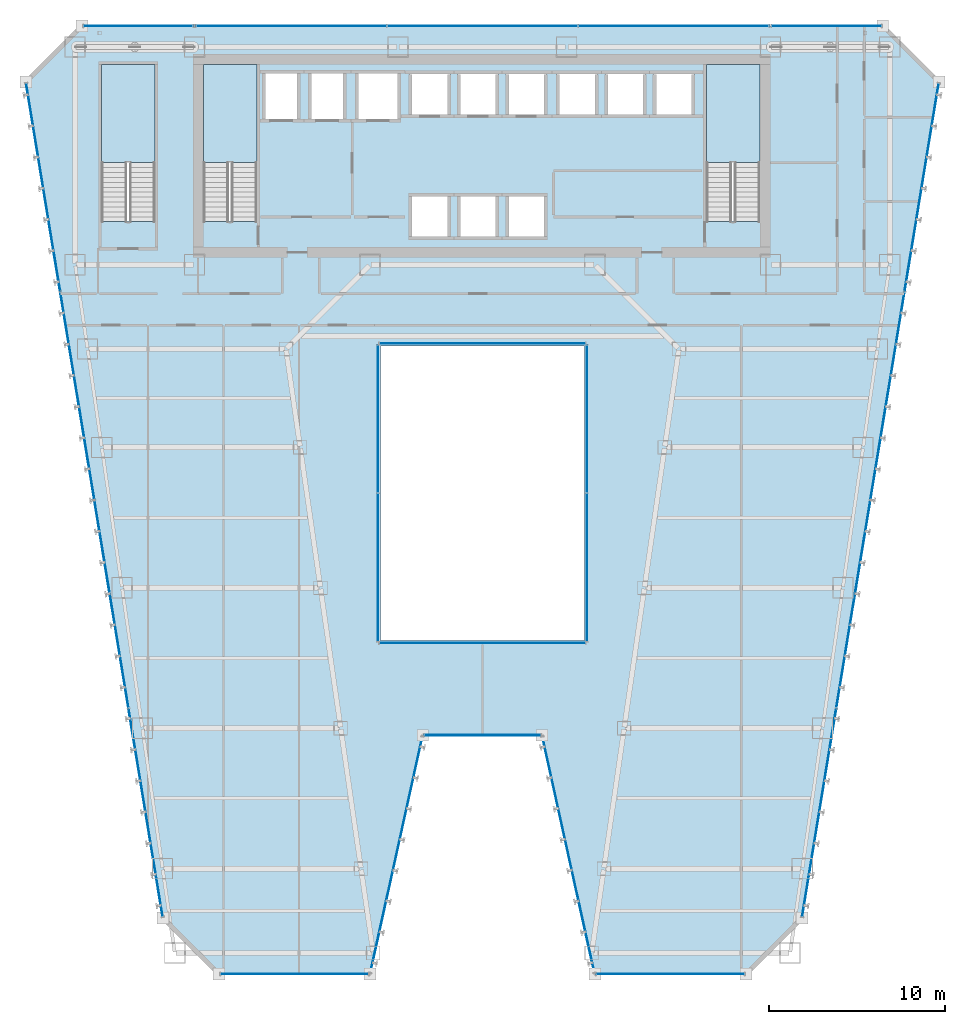
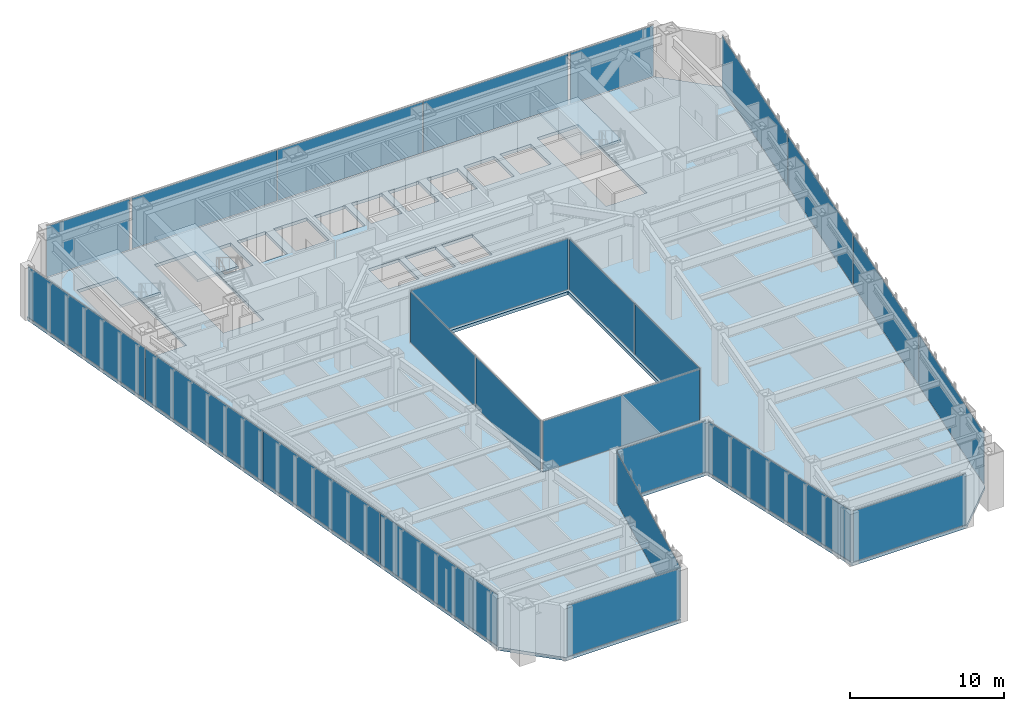
# One storey, part 34 of 47: 24 plates, 4 slabs, 17 elements without a shape of their own.
"""IFC4 building model written with IfcOpenShell, lengths in metres."""

from ifc_helpers import new_model, si_unit, direction, frame, origin, origin_2d, place, context, subcontext, project, spatial, polyline, rectangle, outline, extrude, material, layer, layer_set, type_object, element, aggregate, save


model = new_model("IFC4")

# Units and contexts
model_context = context("Model", 3, precision=1e-05, world=origin(), true_north=direction((0.0, 1.0)))
body_context = subcontext(model_context, "Body", "Model", "MODEL_VIEW")
ifc_project = project(units=[si_unit("LENGTHUNIT", "METRE"), si_unit("AREAUNIT", "SQUARE_METRE"), si_unit("VOLUMEUNIT", "CUBIC_METRE"), si_unit("PLANEANGLEUNIT", "RADIAN"), si_unit("MASSUNIT", "GRAM", prefix="KILO")], contexts=[model_context])

# Site, building, storey
site_placement = place(None, origin())
site = spatial("IfcSite", under=ifc_project, at=site_placement, CompositionType="ELEMENT")
building_placement = place(site_placement, origin())
building = spatial("IfcBuilding", under=site, at=building_placement, Name="Saevonmaru Cultural Tower", CompositionType="ELEMENT")
storey_placement = place(building_placement, frame((0.0, 0.0, 78.0)))
storey = spatial("IfcBuildingStorey", under=building, at=storey_placement, Name="L16", CompositionType="ELEMENT", Elevation=78.0)

# Curtain wall, plate
ifc_material_1 = material(Name="Satin Bronze Anodised Aluminium", Category="aluminium")
curtain_wall_type_1 = type_object("IfcCurtainWallType", Name="CW-ATR-GLZ", PredefinedType="NOTDEFINED", material=ifc_material_1)
curtain_wall_1_placement = place(storey_placement, origin())
curtain_wall_1 = element("IfcCurtainWall", 1, at=curtain_wall_1_placement, inside=storey, type_object=curtain_wall_type_1, Name="L16 Vertical Atrium Glazed Smoke Screen 1", PredefinedType="NOTDEFINED")
ifc_material_2 = material(Name="Fire-Rated Laminated Atrium Glass", Category="glass")
ifc_layer_1 = layer(ifc_material_2, 0.031982421875, Name="Fire-Rated Laminated Atrium Glass")
ifc_layer_set_1 = layer_set([ifc_layer_1], Name="Fire-Rated Laminated Atrium Glass")
plate_type_1 = type_object("IfcPlateType", Name="PN-GLZ-ATR-INT", PredefinedType="CURTAIN_PANEL", material=ifc_layer_set_1)
plate_1_placement = place(storey_placement, frame((30.0, 20.85009765625, 0.06689453125), z_axis=(0.0, 0.0, 1.0), x_axis=(1.0, 0.0, 0.0)))
plate_1 = element("IfcPlate", 2, at=plate_1_placement, type_object=plate_type_1, Name="CW-ATR-L16-1 panel 1.1", PredefinedType="CURTAIN_PANEL", context=body_context, shape_type="SweptSolid", body=[
    extrude(rectangle(XDim=11.7109375, YDim=0.031982421875, at=origin_2d()), origin(), (0.0, 0.0, 1.0), 4.01611328125),
])
aggregate(curtain_wall_1, [plate_1])

# Curtain wall, plates
curtain_wall_2_placement = place(storey_placement, origin())
curtain_wall_2 = element("IfcCurtainWall", 3, at=curtain_wall_2_placement, inside=storey, type_object=curtain_wall_type_1, Name="L16 Vertical Atrium Glazed Smoke Screen 2", PredefinedType="NOTDEFINED")
plate_2_placement = place(storey_placement, frame((35.949951171875, 25.14501953125, 0.06689453125), z_axis=(0.0, 0.0, 1.0), x_axis=(0.0, 1.0, 0.0)))
plate_2 = element("IfcPlate", 4, at=plate_2_placement, type_object=plate_type_1, Name="CW-ATR-L16-2 panel 1.1", PredefinedType="CURTAIN_PANEL", context=body_context, shape_type="SweptSolid", body=[
    extrude(rectangle(XDim=8.40087890625, YDim=0.031982421875, at=origin_2d()), origin(), (0.0, 0.0, 1.0), 4.01611328125),
])
plate_3_placement = place(storey_placement, frame((35.949951171875, 33.614990234375, 0.06689453125), z_axis=(0.0, 0.0, 1.0), x_axis=(0.0, 1.0, 0.0)))
plate_3 = element("IfcPlate", 5, at=plate_3_placement, type_object=plate_type_1, Name="CW-ATR-L16-2 panel 2.1", PredefinedType="CURTAIN_PANEL", context=body_context, shape_type="SweptSolid", body=[
    extrude(rectangle(XDim=8.40087890625, YDim=0.031982421875, at=origin_2d()), origin(), (0.0, 0.0, 1.0), 4.01611328125),
])
aggregate(curtain_wall_2, [plate_2, plate_3])

# Curtain wall, plate
curtain_wall_3_placement = place(storey_placement, origin())
curtain_wall_3 = element("IfcCurtainWall", 6, at=curtain_wall_3_placement, inside=storey, type_object=curtain_wall_type_1, Name="L16 Vertical Atrium Glazed Smoke Screen 3", PredefinedType="NOTDEFINED")
plate_4_placement = place(storey_placement, frame((30.0, 37.909912109375, 0.06689453125), z_axis=(0.0, 0.0, 1.0), x_axis=(-1.0, 0.0, 0.0)))
plate_4 = element("IfcPlate", 7, at=plate_4_placement, type_object=plate_type_1, Name="CW-ATR-L16-3 panel 1.1", PredefinedType="CURTAIN_PANEL", context=body_context, shape_type="SweptSolid", body=[
    extrude(rectangle(XDim=11.7109375, YDim=0.031982421875, at=origin_2d()), origin(), (0.0, 0.0, 1.0), 4.01611328125),
])
aggregate(curtain_wall_3, [plate_4])

# Curtain wall, plates
curtain_wall_4_placement = place(storey_placement, origin())
curtain_wall_4 = element("IfcCurtainWall", 8, at=curtain_wall_4_placement, inside=storey, type_object=curtain_wall_type_1, Name="L16 Vertical Atrium Glazed Smoke Screen 4", PredefinedType="NOTDEFINED")
plate_5_placement = place(storey_placement, frame((24.050048828125, 33.614990234375, 0.06689453125), z_axis=(0.0, 0.0, 1.0), x_axis=(0.0, -1.0, 0.0)))
plate_5 = element("IfcPlate", 9, at=plate_5_placement, type_object=plate_type_1, Name="CW-ATR-L16-4 panel 1.1", PredefinedType="CURTAIN_PANEL", context=body_context, shape_type="SweptSolid", body=[
    extrude(rectangle(XDim=8.40087890625, YDim=0.031982421875, at=origin_2d()), origin(), (0.0, 0.0, 1.0), 4.01611328125),
])
plate_6_placement = place(storey_placement, frame((24.050048828125, 25.14501953125, 0.06689453125), z_axis=(0.0, 0.0, 1.0), x_axis=(0.0, -1.0, 0.0)))
plate_6 = element("IfcPlate", 10, at=plate_6_placement, type_object=plate_type_1, Name="CW-ATR-L16-4 panel 2.1", PredefinedType="CURTAIN_PANEL", context=body_context, shape_type="SweptSolid", body=[
    extrude(rectangle(XDim=8.40087890625, YDim=0.031982421875, at=origin_2d()), origin(), (0.0, 0.0, 1.0), 4.01611328125),
])
aggregate(curtain_wall_4, [plate_5, plate_6])

# Curtain wall, plate
curtain_wall_type_2 = type_object("IfcCurtainWallType", Name="CW-TYP-A", PredefinedType="NOTDEFINED", material=ifc_material_1)
curtain_wall_5_placement = place(storey_placement, origin())
curtain_wall_5 = element("IfcCurtainWall", 11, at=curtain_wall_5_placement, inside=storey, type_object=curtain_wall_type_2, Name="L16 Unitised Curtain Wall E2", PredefinedType="NOTDEFINED")
ifc_material_3 = material(Name="Triple Silver Low-E Insulating Glass", Category="glass")
ifc_layer_2 = layer(ifc_material_3, 0.035888671875, Name="Triple Silver Low-E Insulating Glass")
ifc_layer_set_2 = layer_set([ifc_layer_2], Name="Triple Silver Low-E Insulating Glass")
plate_type_2 = type_object("IfcPlateType", Name="PN-GLZ-IGU", PredefinedType="CURTAIN_PANEL", material=ifc_layer_set_2)
plate_7_placement = place(storey_placement, frame((19.300048828125, 2.0, 0.06689453125), z_axis=(0.0, 0.0, 1.0), x_axis=(1.0, 0.0, 0.0)))
plate_7 = element("IfcPlate", 12, at=plate_7_placement, type_object=plate_type_2, Name="CW-TW-L16-E2 panel 1.1", PredefinedType="CURTAIN_PANEL", context=body_context, shape_type="SweptSolid", body=[
    extrude(rectangle(XDim=8.410888671875, YDim=0.035888671875, at=origin_2d()), origin(), (0.0, 0.0, 1.0), 4.01611328125),
])
aggregate(curtain_wall_5, [plate_7])

curtain_wall_6_placement = place(storey_placement, origin())
curtain_wall_6 = element("IfcCurtainWall", 13, at=curtain_wall_6_placement, inside=storey, type_object=curtain_wall_type_2, Name="L16 Unitised Curtain Wall E3", PredefinedType="NOTDEFINED")
plate_8_placement = place(storey_placement, frame((25.10009765625, 8.800048828125, 0.06689453125), z_axis=(0.0, 0.0, 1.0), x_axis=(0.215413319953, 0.976522965212, 0.0)))
plate_8 = element("IfcPlate", 14, at=plate_8_placement, type_object=plate_type_2, Name="CW-TW-L16-E3 panel 1.1", PredefinedType="CURTAIN_PANEL", context=body_context, shape_type="SweptSolid", body=[
    extrude(rectangle(XDim=13.738037109375, YDim=0.035888671875, at=origin_2d()), origin(), (0.0, 0.0, 1.0), 4.01611328125),
])
aggregate(curtain_wall_6, [plate_8])

curtain_wall_7_placement = place(storey_placement, origin())
curtain_wall_7 = element("IfcCurtainWall", 15, at=curtain_wall_7_placement, inside=storey, type_object=curtain_wall_type_2, Name="L16 Unitised Curtain Wall E4", PredefinedType="NOTDEFINED")
plate_9_placement = place(storey_placement, frame((30.0, 15.60009765625, 0.06689453125), z_axis=(0.0, 0.0, 1.0), x_axis=(1.0, 0.0, 0.0)))
plate_9 = element("IfcPlate", 16, at=plate_9_placement, type_object=plate_type_2, Name="CW-TW-L16-E4 panel 1.1", PredefinedType="CURTAIN_PANEL", context=body_context, shape_type="SweptSolid", body=[
    extrude(rectangle(XDim=6.611083984375, YDim=0.035888671875, at=origin_2d()), origin(), (0.0, 0.0, 1.0), 4.01611328125),
])
aggregate(curtain_wall_7, [plate_9])

curtain_wall_8_placement = place(storey_placement, origin())
curtain_wall_8 = element("IfcCurtainWall", 17, at=curtain_wall_8_placement, inside=storey, type_object=curtain_wall_type_2, Name="L16 Unitised Curtain Wall E5", PredefinedType="NOTDEFINED")
plate_10_placement = place(storey_placement, frame((34.89990234375, 8.800048828125, 0.06689453125), z_axis=(0.0, 0.0, 1.0), x_axis=(0.215413319953, -0.976522965212, 0.0)))
plate_10 = element("IfcPlate", 18, at=plate_10_placement, type_object=plate_type_2, Name="CW-TW-L16-E5 panel 1.1", PredefinedType="CURTAIN_PANEL", context=body_context, shape_type="SweptSolid", body=[
    extrude(rectangle(XDim=13.738037109375, YDim=0.035888671875, at=origin_2d()), origin(), (0.0, 0.0, 1.0), 4.01611328125),
])
aggregate(curtain_wall_8, [plate_10])

curtain_wall_9_placement = place(storey_placement, origin())
curtain_wall_9 = element("IfcCurtainWall", 19, at=curtain_wall_9_placement, inside=storey, type_object=curtain_wall_type_2, Name="L16 Unitised Curtain Wall E6", PredefinedType="NOTDEFINED")
plate_11_placement = place(storey_placement, frame((40.699951171875, 2.0, 0.06689453125), z_axis=(0.0, 0.0, 1.0), x_axis=(1.0, 0.0, 0.0)))
plate_11 = element("IfcPlate", 20, at=plate_11_placement, type_object=plate_type_2, Name="CW-TW-L16-E6 panel 1.1", PredefinedType="CURTAIN_PANEL", context=body_context, shape_type="SweptSolid", body=[
    extrude(rectangle(XDim=8.410888671875, YDim=0.035888671875, at=origin_2d()), origin(), (0.0, 0.0, 1.0), 4.01611328125),
])
aggregate(curtain_wall_9, [plate_11])

# Curtain wall, plates
curtain_wall_10_placement = place(storey_placement, origin())
curtain_wall_10 = element("IfcCurtainWall", 21, at=curtain_wall_10_placement, inside=storey, type_object=curtain_wall_type_2, Name="L16 Unitised Curtain Wall E8", PredefinedType="NOTDEFINED")
plate_12_placement = place(storey_placement, frame((49.182373046875, 11.1943359375, 0.06689453125), z_axis=(0.0, 0.0, 1.0), x_axis=(0.161708868641, 0.986838508472, 0.0)))
plate_12 = element("IfcPlate", 22, at=plate_12_placement, type_object=plate_type_2, Name="CW-TW-L16-E8 panel 1.1", PredefinedType="CURTAIN_PANEL", context=body_context, shape_type="SweptSolid", body=[
    extrude(rectangle(XDim=11.959716796875, YDim=0.035888671875, at=origin_2d()), origin(), (0.0, 0.0, 1.0), 4.01611328125),
])
plate_13_placement = place(storey_placement, frame((51.12744140625, 23.064697265625, 0.06689453125), z_axis=(0.0, 0.0, 1.0), x_axis=(0.161708868641, 0.986838508472, 0.0)))
plate_13 = element("IfcPlate", 23, at=plate_13_placement, type_object=plate_type_2, Name="CW-TW-L16-E8 panel 2.1", PredefinedType="CURTAIN_PANEL", context=body_context, shape_type="SweptSolid", body=[
    extrude(rectangle(XDim=11.959716796875, YDim=0.035888671875, at=origin_2d()), origin(), (0.0, 0.0, 1.0), 4.01611328125),
])
plate_14_placement = place(storey_placement, frame((53.072509765625, 34.935302734375, 0.06689453125), z_axis=(0.0, 0.0, 1.0), x_axis=(0.161708868641, 0.986838508472, 0.0)))
plate_14 = element("IfcPlate", 24, at=plate_14_placement, type_object=plate_type_2, Name="CW-TW-L16-E8 panel 3.1", PredefinedType="CURTAIN_PANEL", context=body_context, shape_type="SweptSolid", body=[
    extrude(rectangle(XDim=11.959716796875, YDim=0.035888671875, at=origin_2d()), origin(), (0.0, 0.0, 1.0), 4.01611328125),
])
plate_15_placement = place(storey_placement, frame((55.017822265625, 46.8056640625, 0.06689453125), z_axis=(0.0, 0.0, 1.0), x_axis=(0.161708868641, 0.986838508472, 0.0)))
plate_15 = element("IfcPlate", 25, at=plate_15_placement, type_object=plate_type_2, Name="CW-TW-L16-E8 panel 4.1", PredefinedType="CURTAIN_PANEL", context=body_context, shape_type="SweptSolid", body=[
    extrude(rectangle(XDim=11.959716796875, YDim=0.035888671875, at=origin_2d()), origin(), (0.0, 0.0, 1.0), 4.01611328125),
])
aggregate(curtain_wall_10, [plate_12, plate_13, plate_14, plate_15])

curtain_wall_11_placement = place(storey_placement, origin())
curtain_wall_11 = element("IfcCurtainWall", 26, at=curtain_wall_11_placement, inside=storey, type_object=curtain_wall_type_2, Name="L16 North Spine Unitised Curtain Wall E10B", PredefinedType="NOTDEFINED")
plate_16_placement = place(storey_placement, frame((40.893310546875, 56.0, 0.06689453125), z_axis=(0.0, 0.0, 1.0), x_axis=(-1.0, 0.0, 0.0)))
plate_16 = element("IfcPlate", 27, at=plate_16_placement, type_object=plate_type_2, Name="CW-TW-L16-E10B panel 1.1", PredefinedType="CURTAIN_PANEL", context=body_context, shape_type="SweptSolid", body=[
    extrude(rectangle(XDim=10.82421875, YDim=0.035888671875, at=origin_2d()), origin(), (0.0, 0.0, 1.0), 4.01611328125),
])
plate_17_placement = place(storey_placement, frame((30.0, 56.0, 0.06689453125), z_axis=(0.0, 0.0, 1.0), x_axis=(-1.0, 0.0, 0.0)))
plate_17 = element("IfcPlate", 28, at=plate_17_placement, type_object=plate_type_2, Name="CW-TW-L16-E10B panel 2.1", PredefinedType="CURTAIN_PANEL", context=body_context, shape_type="SweptSolid", body=[
    extrude(rectangle(XDim=10.82421875, YDim=0.035888671875, at=origin_2d()), origin(), (0.0, 0.0, 1.0), 4.01611328125),
])
plate_18_placement = place(storey_placement, frame((19.106689453125, 56.0, 0.06689453125), z_axis=(0.0, 0.0, 1.0), x_axis=(-1.0, 0.0, 0.0)))
plate_18 = element("IfcPlate", 29, at=plate_18_placement, type_object=plate_type_2, Name="CW-TW-L16-E10B panel 3.1", PredefinedType="CURTAIN_PANEL", context=body_context, shape_type="SweptSolid", body=[
    extrude(rectangle(XDim=10.82421875, YDim=0.035888671875, at=origin_2d()), origin(), (0.0, 0.0, 1.0), 4.01611328125),
])
aggregate(curtain_wall_11, [plate_16, plate_17, plate_18])

curtain_wall_12_placement = place(storey_placement, origin())
curtain_wall_12 = element("IfcCurtainWall", 30, at=curtain_wall_12_placement, inside=storey, type_object=curtain_wall_type_2, Name="L16 Unitised Curtain Wall E12", PredefinedType="NOTDEFINED")
plate_19_placement = place(storey_placement, frame((4.982177734375, 46.8056640625, 0.06689453125), z_axis=(0.0, 0.0, 1.0), x_axis=(0.161708868641, -0.986838508472, 0.0)))
plate_19 = element("IfcPlate", 31, at=plate_19_placement, type_object=plate_type_2, Name="CW-TW-L16-E12 panel 1.1", PredefinedType="CURTAIN_PANEL", context=body_context, shape_type="SweptSolid", body=[
    extrude(rectangle(XDim=11.959716796875, YDim=0.035888671875, at=origin_2d()), origin(), (0.0, 0.0, 1.0), 4.01611328125),
])
plate_20_placement = place(storey_placement, frame((6.927490234375, 34.935302734375, 0.06689453125), z_axis=(0.0, 0.0, 1.0), x_axis=(0.161708868641, -0.986838508472, 0.0)))
plate_20 = element("IfcPlate", 32, at=plate_20_placement, type_object=plate_type_2, Name="CW-TW-L16-E12 panel 2.1", PredefinedType="CURTAIN_PANEL", context=body_context, shape_type="SweptSolid", body=[
    extrude(rectangle(XDim=11.959716796875, YDim=0.035888671875, at=origin_2d()), origin(), (0.0, 0.0, 1.0), 4.01611328125),
])
plate_21_placement = place(storey_placement, frame((8.87255859375, 23.064697265625, 0.06689453125), z_axis=(0.0, 0.0, 1.0), x_axis=(0.161708868641, -0.986838508472, 0.0)))
plate_21 = element("IfcPlate", 33, at=plate_21_placement, type_object=plate_type_2, Name="CW-TW-L16-E12 panel 3.1", PredefinedType="CURTAIN_PANEL", context=body_context, shape_type="SweptSolid", body=[
    extrude(rectangle(XDim=11.959716796875, YDim=0.035888671875, at=origin_2d()), origin(), (0.0, 0.0, 1.0), 4.01611328125),
])
plate_22_placement = place(storey_placement, frame((10.817626953125, 11.1943359375, 0.06689453125), z_axis=(0.0, 0.0, 1.0), x_axis=(0.161708868641, -0.986838508472, 0.0)))
plate_22 = element("IfcPlate", 34, at=plate_22_placement, type_object=plate_type_2, Name="CW-TW-L16-E12 panel 4.1", PredefinedType="CURTAIN_PANEL", context=body_context, shape_type="SweptSolid", body=[
    extrude(rectangle(XDim=11.959716796875, YDim=0.035888671875, at=origin_2d()), origin(), (0.0, 0.0, 1.0), 4.01611328125),
])
aggregate(curtain_wall_12, [plate_19, plate_20, plate_21, plate_22])

# Curtain wall, plate
curtain_wall_13_placement = place(storey_placement, origin())
curtain_wall_13 = element("IfcCurtainWall", 35, at=curtain_wall_13_placement, inside=storey, type_object=curtain_wall_type_2, Name="L16 East Braced Bay Spandrel Curtain Wall E10A", PredefinedType="NOTDEFINED")
ifc_material_4 = material(Name="Insulated Satin Bronze Aluminium Spandrel Panel", Category="aluminium")
ifc_layer_3 = layer(ifc_material_4, 0.0400390625, Name="Insulated Satin Bronze Aluminium Spandrel Panel")
ifc_layer_set_3 = layer_set([ifc_layer_3], Name="Insulated Satin Bronze Aluminium Spandrel Panel")
plate_type_3 = type_object("IfcPlateType", Name="PN-SPANDREL-BRONZE", PredefinedType="CURTAIN_PANEL", material=ifc_layer_set_3)
plate_23_placement = place(storey_placement, frame((49.60009765625, 56.0, 0.06689453125), z_axis=(0.0, 0.0, 1.0), x_axis=(-1.0, 0.0, 0.0)))
plate_23 = element("IfcPlate", 36, at=plate_23_placement, type_object=plate_type_3, Name="CW-TW-L16-E10A panel 1.1", PredefinedType="CURTAIN_PANEL", context=body_context, shape_type="SweptSolid", body=[
    extrude(rectangle(XDim=6.2109375, YDim=0.035888671875, at=origin_2d()), origin(), (0.0, 0.0, 1.0), 4.01611328125),
])
aggregate(curtain_wall_13, [plate_23])

curtain_wall_14_placement = place(storey_placement, origin())
curtain_wall_14 = element("IfcCurtainWall", 37, at=curtain_wall_14_placement, inside=storey, type_object=curtain_wall_type_2, Name="L16 West Braced Bay Spandrel Curtain Wall E10C", PredefinedType="NOTDEFINED")
plate_24_placement = place(storey_placement, frame((10.39990234375, 56.0, 0.06689453125), z_axis=(0.0, 0.0, 1.0), x_axis=(-1.0, 0.0, 0.0)))
plate_24 = element("IfcPlate", 38, at=plate_24_placement, type_object=plate_type_3, Name="CW-TW-L16-E10C panel 1.1", PredefinedType="CURTAIN_PANEL", context=body_context, shape_type="SweptSolid", body=[
    extrude(rectangle(XDim=6.2109375, YDim=0.035888671875, at=origin_2d()), origin(), (0.0, 0.0, 1.0), 4.01611328125),
])
aggregate(curtain_wall_14, [plate_24])

# Slab
ifc_material_5 = material(Name="Concrete C40/50", Category="concrete")
ifc_layer_4 = layer(ifc_material_5, 0.25, Name="Concrete C40/50")
ifc_layer_set_4 = layer_set([ifc_layer_4], Name="Concrete C40/50")
slab_type_1 = type_object("IfcSlabType", Name="SL-FLR-250", PredefinedType="FLOOR", material=ifc_layer_set_4)
slab_1_placement = place(storey_placement, frame((0.0, 0.0, -0.25)))
element("IfcSlab", 39, at=slab_1_placement, inside=storey, type_object=slab_type_1, Name="L16 Tower Structural Floor Slab", PredefinedType="FLOOR", context=body_context, shape_type="SweptSolid", body=[
    extrude(outline(polyline([(11.800048828125, 5.199951171875), (15.0, 2.0), (23.60009765625, 2.0), (26.60009765625, 15.60009765625), (33.39990234375, 15.60009765625), (36.39990234375, 2.0), (45.0, 2.0), (48.199951171875, 5.199951171875), (56.0, 52.800048828125), (52.800048828125, 56.0), (7.199951171875, 56.0), (4.0, 52.800048828125), (11.800048828125, 5.199951171875)]), holes=[polyline([(45.800048828125, 44.875), (42.75, 44.875), (42.75, 53.800048828125), (45.800048828125, 53.800048828125), (45.800048828125, 44.875)]), polyline([(39.75, 50.800048828125), (39.75, 53.39990234375), (42.050048828125, 53.39990234375), (42.050048828125, 50.800048828125), (39.75, 50.800048828125)]), polyline([(37.0, 50.800048828125), (37.0, 53.39990234375), (39.300048828125, 53.39990234375), (39.300048828125, 50.800048828125), (37.0, 50.800048828125)]), polyline([(34.25, 50.800048828125), (34.25, 53.39990234375), (36.550048828125, 53.39990234375), (36.550048828125, 50.800048828125), (34.25, 50.800048828125)]), polyline([(24.199951171875, 21.0), (24.199951171875, 37.760009765625), (35.800048828125, 37.760009765625), (35.800048828125, 21.0), (24.199951171875, 21.0)]), polyline([(31.35009765625, 50.800048828125), (31.35009765625, 53.39990234375), (33.64990234375, 53.39990234375), (33.64990234375, 50.800048828125), (31.35009765625, 50.800048828125)]), polyline([(31.35009765625, 43.85009765625), (31.35009765625, 46.449951171875), (33.64990234375, 46.449951171875), (33.64990234375, 43.85009765625), (31.35009765625, 43.85009765625)]), polyline([(28.60009765625, 43.85009765625), (28.60009765625, 46.449951171875), (30.89990234375, 46.449951171875), (30.89990234375, 43.85009765625), (28.60009765625, 43.85009765625)]), polyline([(28.60009765625, 50.800048828125), (28.60009765625, 53.39990234375), (30.89990234375, 53.39990234375), (30.89990234375, 50.800048828125), (28.60009765625, 50.800048828125)]), polyline([(25.85009765625, 50.800048828125), (25.85009765625, 53.39990234375), (28.14990234375, 53.39990234375), (28.14990234375, 50.800048828125), (25.85009765625, 50.800048828125)]), polyline([(25.85009765625, 43.85009765625), (25.85009765625, 46.449951171875), (28.14990234375, 46.449951171875), (28.14990234375, 43.85009765625), (25.85009765625, 43.85009765625)]), polyline([(22.800048828125, 50.550048828125), (22.800048828125, 53.449951171875), (25.300048828125, 53.449951171875), (25.300048828125, 50.550048828125), (22.800048828125, 50.550048828125)]), polyline([(20.10009765625, 50.550048828125), (20.10009765625, 53.449951171875), (22.199951171875, 53.449951171875), (22.199951171875, 50.550048828125), (20.10009765625, 50.550048828125)]), polyline([(17.5, 50.550048828125), (17.5, 53.449951171875), (19.60009765625, 53.449951171875), (19.60009765625, 50.550048828125), (17.5, 50.550048828125)]), polyline([(17.14990234375, 44.875), (14.10009765625, 44.875), (14.10009765625, 53.800048828125), (17.14990234375, 53.800048828125), (17.14990234375, 44.875)]), polyline([(11.35009765625, 44.875), (8.300048828125, 44.875), (8.300048828125, 53.800048828125), (11.35009765625, 53.800048828125), (11.35009765625, 44.875)])]), origin(), (0.0, 0.0, 1.0), 0.25),
])

# Stair, slab
stair_type = type_object("IfcStairType", Name="STR-DOGLEG-RC", PredefinedType="HALF_TURN_STAIR", material=ifc_material_5)
stair_1_placement = place(storey_placement, origin())
stair_1 = element("IfcStair", 40, at=stair_1_placement, inside=storey, type_object=stair_type, Name="L16 Protected exit stair ST-1", PredefinedType="HALF_TURN_STAIR")
ifc_layer_5 = layer(ifc_material_5, 0.199951171875, Name="Concrete C40/50")
ifc_layer_set_5 = layer_set([ifc_layer_5], Name="Concrete C40/50")
slab_type_2 = type_object("IfcSlabType", Name="SL-STAIR-LANDING", PredefinedType="LANDING", material=ifc_layer_set_5)
slab_2_placement = place(storey_placement, frame((0.0, 0.0, 2.0)))
slab_2 = element("IfcSlab", 41, at=slab_2_placement, type_object=slab_type_2, Name="ST-1-L16 landing 1", PredefinedType="LANDING", context=body_context, shape_type="SweptSolid", body=[
    extrude(outline(polyline([(17.14990234375, 48.2099609375), (17.14990234375, 53.800048828125), (14.10009765625, 53.800048828125), (14.10009765625, 48.2099609375), (17.14990234375, 48.2099609375)])), origin(), (0.0, 0.0, 1.0), 0.199951171875),
])
aggregate(stair_1, [slab_2])

stair_2_placement = place(storey_placement, origin())
stair_2 = element("IfcStair", 42, at=stair_2_placement, inside=storey, type_object=stair_type, Name="L16 Protected exit stair ST-2", PredefinedType="HALF_TURN_STAIR")
slab_3_placement = place(storey_placement, frame((0.0, 0.0, 2.0)))
slab_3 = element("IfcSlab", 43, at=slab_3_placement, type_object=slab_type_2, Name="ST-2-L16 landing 1", PredefinedType="LANDING", context=body_context, shape_type="SweptSolid", body=[
    extrude(outline(polyline([(45.800048828125, 48.2099609375), (45.800048828125, 53.800048828125), (42.75, 53.800048828125), (42.75, 48.2099609375), (45.800048828125, 48.2099609375)])), origin(), (0.0, 0.0, 1.0), 0.199951171875),
])
aggregate(stair_2, [slab_3])

stair_3_placement = place(storey_placement, origin())
stair_3 = element("IfcStair", 44, at=stair_3_placement, inside=storey, type_object=stair_type, Name="L16 Protected exit stair ST-3", PredefinedType="HALF_TURN_STAIR")
slab_4_placement = place(storey_placement, frame((0.0, 0.0, 2.0)))
slab_4 = element("IfcSlab", 45, at=slab_4_placement, type_object=slab_type_2, Name="ST-3-L16 landing 1", PredefinedType="LANDING", context=body_context, shape_type="SweptSolid", body=[
    extrude(outline(polyline([(11.35009765625, 48.2099609375), (11.35009765625, 53.800048828125), (8.300048828125, 53.800048828125), (8.300048828125, 48.2099609375), (11.35009765625, 48.2099609375)])), origin(), (0.0, 0.0, 1.0), 0.199951171875),
])
aggregate(stair_3, [slab_4])

save(model, "model.ifc")
